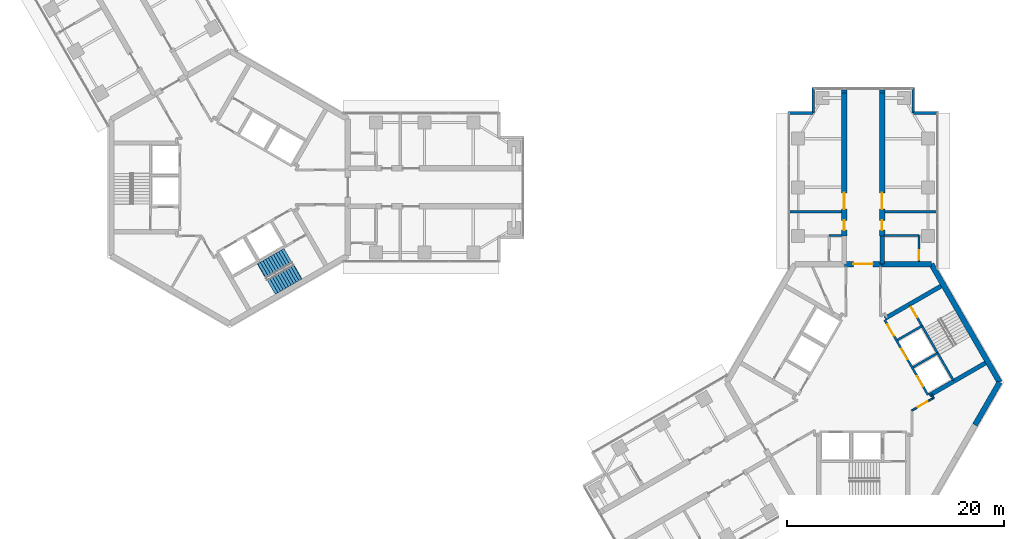
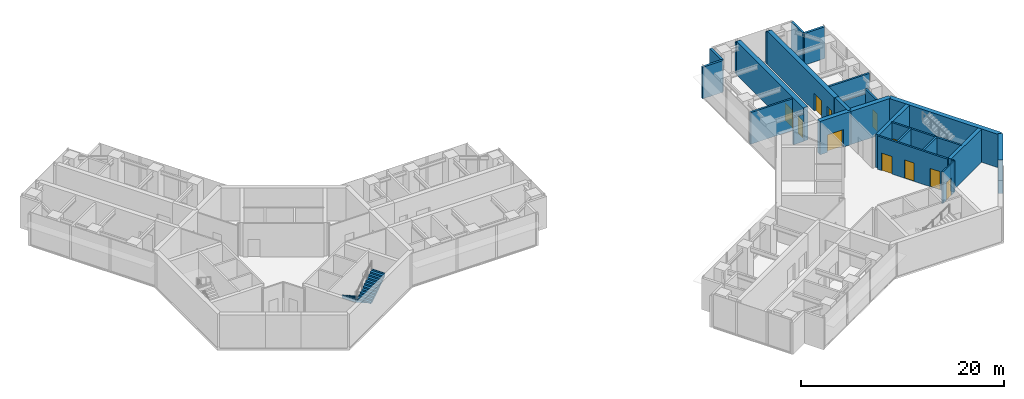
# One storey, part 15 of 17: 26 walls, 11 doors, 2 stair flights, 11 openings, 1 element without a shape of its own.
"""IFC4 building model written with IfcOpenShell, lengths in metres."""

from ifc_helpers import new_model, si_unit, direction, frame, frame_2d, origin, place, context, subcontext, project, spatial, polyline, rectangle, outline, extrude, material, layer, layer_set, type_object, element, fill, aggregate, save


model = new_model("IFC4")

# Units and contexts
model_context = context("Model", 3, precision=1e-05, world=origin(), true_north=direction((0.0, 1.0)))
body_context = subcontext(model_context, "Body", "Model", "MODEL_VIEW")
ifc_project = project(units=[si_unit("LENGTHUNIT", "METRE"), si_unit("AREAUNIT", "SQUARE_METRE"), si_unit("VOLUMEUNIT", "CUBIC_METRE"), si_unit("PLANEANGLEUNIT", "RADIAN"), si_unit("MASSUNIT", "GRAM", prefix="KILO")], contexts=[model_context])

# Site, building, storey
site_placement = place(None, origin())
site = spatial("IfcSite", under=ifc_project, at=site_placement, CompositionType="ELEMENT")
building_placement = place(site_placement, origin())
building = spatial("IfcBuilding", under=site, at=building_placement, Name="Upepo Twin Towers", CompositionType="ELEMENT")
storey_placement = place(building_placement, frame((0.0, 0.0, 182.5)))
storey = spatial("IfcBuildingStorey", under=building, at=storey_placement, Name="L44", CompositionType="ELEMENT", Elevation=182.5)

# Walls
ifc_material_1 = material(Name="Concrete blockwork, plastered both faces", Category="masonry")
ifc_layer_1 = layer(ifc_material_1, 0.215087890625)
ifc_layer_set_1 = layer_set([ifc_layer_1], Name="Blockwork partition 215")
wall_type_1 = type_object("IfcWallType", Name="Blockwork partition 215", PredefinedType="PARTITIONING", material=ifc_layer_set_1)
wall_1_placement = place(storey_placement, frame((56.5, -2.25, 0.0), z_axis=(0.0, 0.0, 1.0), x_axis=(-1.0, 0.0, 0.0)))
element("IfcWall", 1, at=wall_1_placement, inside=storey, type_object=wall_type_1, Name="T2 partition AL at 15.75", PredefinedType="PARTITIONING", context=body_context, shape_type="SweptSolid", body=[
    extrude(rectangle(XDim=4.75, YDim=0.215087890625, at=frame_2d((2.375, 0.0))), origin(), (0.0, 0.0, 1.0), 3.800048828125),
])
wall_2_placement = place(storey_placement, frame((56.550048828125, -4.44189453125, 0.0), z_axis=(0.0, 0.0, 1.0), x_axis=(-1.0, 0.0, 0.0)))
element("IfcWall", 2, at=wall_2_placement, inside=storey, type_object=wall_type_1, Name="T2 WC bay partition AL end at 13.56", PredefinedType="PARTITIONING", context=body_context, shape_type="SweptSolid", body=[
    extrude(rectangle(XDim=1.199951171875, YDim=0.215087890625, at=frame_2d((0.60009765625, 0.0))), origin(), (0.0, 0.0, 1.0), 3.266845703125),
])
wall_3_placement = place(storey_placement, frame((60.5, -2.25, 0.0), z_axis=(0.0, 0.0, 1.0), x_axis=(1.0, 0.0, 0.0)))
element("IfcWall", 3, at=wall_3_placement, inside=storey, type_object=wall_type_1, Name="T2 partition AR at 15.75", PredefinedType="PARTITIONING", context=body_context, shape_type="SweptSolid", body=[
    extrude(rectangle(XDim=4.75, YDim=0.215087890625, at=frame_2d((2.375, 0.0))), origin(), (0.0, 0.0, 1.0), 3.800048828125),
])

# Wall, opening, door
wall_4_placement = place(storey_placement, frame((63.64990234375, -6.842041015625, 0.0), z_axis=(0.0, 0.0, 1.0), x_axis=(0.0, 1.0, 0.0)))
wall_4 = element("IfcWall", 4, at=wall_4_placement, inside=storey, type_object=wall_type_1, Name="T2 WC bay partition AR at 11.16", PredefinedType="PARTITIONING", context=body_context, shape_type="SweptSolid", body=[
    extrude(rectangle(XDim=2.400146484375, YDim=0.215087890625, at=frame_2d((1.2001953125, 0.0))), origin(), (0.0, 0.0, 1.0), 3.800048828125),
])
opening_1_placement = place(wall_4_placement, frame((0.14990234375, 0.0, 0.0)))
opening_1 = element("IfcOpeningElement", 5, at=opening_1_placement, cuts=wall_4, Name="Opening D14", PredefinedType="OPENING", context=body_context, shape_type="SweptSolid", body=[
    extrude(rectangle(XDim=0.89990234375, YDim=2.10009765625, at=frame_2d((0.449951171875, 1.050048828125))), frame((0.0, 0.117431640625, 0.0), z_axis=(0.0, -1.0, 0.0), x_axis=(1.0, 0.0, 0.0)), (0.0, 0.0, 1.0), 0.235107421875),
])
ifc_material_2 = material(Name="Timber doorset", Category="wood")
door_type_1 = type_object("IfcDoorType", Name="Office door 900 FD30", OperationType="SINGLE_SWING_LEFT", PredefinedType="DOOR", material=ifc_material_2)
door_1_placement = place(opening_1_placement, origin())
door_1 = element("IfcDoor", 6, at=door_1_placement, inside=storey, type_object=door_type_1, Name="T2 L44 WC bay inner room door", OperationType="SINGLE_SWING_LEFT", OverallHeight=2.10009765625, OverallWidth=0.89990234375, PredefinedType="DOOR", context=body_context, shape_type="SweptSolid", body=[
    extrude(rectangle(XDim=0.89990234375, YDim=2.10009765625, at=frame_2d((0.449951171875, 1.050048828125))), frame((0.0, 0.02490234375, 0.0), z_axis=(0.0, -1.0, 0.0), x_axis=(1.0, 0.0, 0.0)), (0.0, 0.0, 1.0), 0.050048828125),
])
fill(opening_1, door_1)

# Walls
wall_5_placement = place(storey_placement, frame((60.449951171875, -4.44189453125, 0.0), z_axis=(0.0, 0.0, 1.0), x_axis=(1.0, 0.0, 0.0)))
element("IfcWall", 7, at=wall_5_placement, inside=storey, type_object=wall_type_1, Name="T2 WC bay partition AR end at 13.56", PredefinedType="PARTITIONING", context=body_context, shape_type="SweptSolid", body=[
    extrude(rectangle(XDim=3.199951171875, YDim=0.215087890625, at=frame_2d((1.60009765625, 0.0))), origin(), (0.0, 0.0, 1.0), 3.266845703125),
])
ifc_material_3 = material(Name="Dense concrete blockwork", Category="masonry")
ifc_layer_2 = layer(ifc_material_3, 0.5)
ifc_layer_set_2 = layer_set([ifc_layer_2], Name="Buttress closer 500, blockwork with fire-stopping to the curtain wall")
wall_type_2 = type_object("IfcWallType", Name="Buttress closer 500, blockwork with fire-stopping to the curtain wall", PredefinedType="PARTITIONING", material=ifc_layer_set_2)
for number, where, z_axis, x_axis, name in (
    (8, (56.75, 8.699951171875, 0.0), (0.0, 0.0, 1.0), (0.0, 1.0, 0.0), "T2 L44 wing A buttress closer L"),
    (9, (60.25, 8.699951171875, 0.0), (0.0, 0.0, 1.0), (0.0, 1.0, 0.0), "T2 L44 wing A buttress closer R"),
):
    element("IfcWall", number, at=place(storey_placement, frame(where, z_axis=z_axis, x_axis=x_axis)), inside=storey, type_object=wall_type_2, Name=name, PredefinedType="PARTITIONING", context=body_context, shape_type="SweptSolid", body=[
        extrude(rectangle(XDim=0.28759765625, YDim=0.5, at=frame_2d((0.143798828125, 0.0))), origin(), (0.0, 0.0, 1.0), 3.800048828125),
    ])
ifc_material_4 = material(Name="Concrete C60/75", Category="concrete")
ifc_layer_3 = layer(ifc_material_4, 0.39990234375)
ifc_layer_set_3 = layer_set([ifc_layer_3], Name="Concrete C60/75")
wall_type_3 = type_object("IfcWallType", Name="Buttress wall 400 RC", PredefinedType="SHEAR", material=ifc_layer_set_3)
wall_6_placement = place(storey_placement, frame((60.25, -7.091552734375, 0.0), z_axis=(0.0, 0.0, 1.0), x_axis=(0.0, 1.0, 0.0)))
element("IfcWall", 10, at=wall_6_placement, inside=storey, type_object=wall_type_3, Name="T2 wing A buttress wall R", PredefinedType="SHEAR", context=body_context, shape_type="SweptSolid", body=[
    extrude(rectangle(XDim=2.591552734375, YDim=0.39990234375, at=frame_2d((1.2958984375, 0.0))), origin(), (0.0, 0.0, 1.0), 4.0),
])

# Wall, openings, doors
ifc_material_5 = material(Name="Concrete C60/75", Category="concrete")
ifc_layer_4 = layer(ifc_material_5, 0.5)
ifc_layer_set_4 = layer_set([ifc_layer_4], Name="Concrete C60/75")
wall_type_4 = type_object("IfcWallType", Name="Buttress wall 500 RC", PredefinedType="SHEAR", material=ifc_layer_set_4)
wall_7_placement = place(storey_placement, frame((56.75, -4.5, 0.0), z_axis=(0.0, 0.0, 1.0), x_axis=(0.0, 1.0, 0.0)))
wall_7 = element("IfcWall", 11, at=wall_7_placement, inside=storey, type_object=wall_type_4, Name="T2 wing A buttress wall L part 2", PredefinedType="SHEAR", context=body_context, shape_type="SweptSolid", body=[
    extrude(rectangle(XDim=13.199951171875, YDim=0.5, at=frame_2d((6.60009765625, 0.0))), origin(), (0.0, 0.0, 1.0), 4.0),
])
opening_2_placement = place(wall_7_placement, frame((0.550048828125, 0.0, 0.0)))
opening_2 = element("IfcOpeningElement", 12, at=opening_2_placement, cuts=wall_7, Name="Opening D11", PredefinedType="OPENING", context=body_context, shape_type="SweptSolid", body=[
    extrude(rectangle(XDim=0.89990234375, YDim=2.10009765625, at=frame_2d((0.449951171875, 1.050048828125))), frame((0.0, 0.260009765625, 0.0), z_axis=(0.0, -1.0, 0.0), x_axis=(1.0, 0.0, 0.0)), (0.0, 0.0, 1.0), 0.52001953125),
])
opening_3_placement = place(wall_7_placement, frame((2.5, 0.0, 0.0)))
opening_3 = element("IfcOpeningElement", 13, at=opening_3_placement, cuts=wall_7, Name="Opening D13", PredefinedType="OPENING", context=body_context, shape_type="SweptSolid", body=[
    extrude(rectangle(XDim=1.5, YDim=2.10009765625, at=frame_2d((0.75, 1.050048828125))), frame((0.0, 0.260009765625, 0.0), z_axis=(0.0, -1.0, 0.0), x_axis=(1.0, 0.0, 0.0)), (0.0, 0.0, 1.0), 0.52001953125),
])
ifc_material_6 = material(Name="Timber doorset", Category="wood")
door_type_2 = type_object("IfcDoorType", Name="Double door 1500 FD30", OperationType="DOUBLE_DOOR_SINGLE_SWING", PredefinedType="DOOR", material=ifc_material_6)
door_2_placement = place(opening_3_placement, origin())
door_2 = element("IfcDoor", 14, at=door_2_placement, inside=storey, type_object=door_type_2, Name="T2 L44 lecture room door", OperationType="DOUBLE_DOOR_SINGLE_SWING", OverallHeight=2.10009765625, OverallWidth=1.5, PredefinedType="DOOR", context=body_context, shape_type="SweptSolid", body=[
    extrude(rectangle(XDim=1.5, YDim=2.10009765625, at=frame_2d((0.75, 1.050048828125))), frame((0.0, 0.02490234375, 0.0), z_axis=(0.0, -1.0, 0.0), x_axis=(1.0, 0.0, 0.0)), (0.0, 0.0, 1.0), 0.050048828125),
])
fill(opening_3, door_2)
ifc_material_7 = material(Name="Timber doorset", Category="wood")
door_type_3 = type_object("IfcDoorType", Name="Toilet door 900", OperationType="SINGLE_SWING_LEFT", PredefinedType="DOOR", material=ifc_material_7)
door_3_placement = place(opening_2_placement, origin())
door_3 = element("IfcDoor", 15, at=door_3_placement, inside=storey, type_object=door_type_3, Name="T2 L44 toilets door", OperationType="SINGLE_SWING_LEFT", OverallHeight=2.10009765625, OverallWidth=0.89990234375, PredefinedType="DOOR", context=body_context, shape_type="SweptSolid", body=[
    extrude(rectangle(XDim=0.89990234375, YDim=2.10009765625, at=frame_2d((0.449951171875, 1.050048828125))), frame((0.0, 0.02490234375, 0.0), z_axis=(0.0, -1.0, 0.0), x_axis=(1.0, 0.0, 0.0)), (0.0, 0.0, 1.0), 0.050048828125),
])
fill(opening_2, door_3)

wall_8_placement = place(storey_placement, frame((60.25, -4.5, 0.0), z_axis=(0.0, 0.0, 1.0), x_axis=(0.0, 1.0, 0.0)))
wall_8 = element("IfcWall", 16, at=wall_8_placement, inside=storey, type_object=wall_type_4, Name="T2 wing A buttress wall R part 2", PredefinedType="SHEAR", context=body_context, shape_type="SweptSolid", body=[
    extrude(rectangle(XDim=13.199951171875, YDim=0.5, at=frame_2d((6.60009765625, 0.0))), origin(), (0.0, 0.0, 1.0), 4.0),
])
opening_4_placement = place(wall_8_placement, frame((0.550048828125, 0.0, 0.0)))
opening_4 = element("IfcOpeningElement", 17, at=opening_4_placement, cuts=wall_8, Name="Opening D11", PredefinedType="OPENING", context=body_context, shape_type="SweptSolid", body=[
    extrude(rectangle(XDim=0.89990234375, YDim=2.10009765625, at=frame_2d((0.449951171875, 1.050048828125))), frame((0.0, 0.260009765625, 0.0), z_axis=(0.0, -1.0, 0.0), x_axis=(1.0, 0.0, 0.0)), (0.0, 0.0, 1.0), 0.52001953125),
])
opening_5_placement = place(wall_8_placement, frame((2.5, 0.0, 0.0)))
opening_5 = element("IfcOpeningElement", 18, at=opening_5_placement, cuts=wall_8, Name="Opening D13", PredefinedType="OPENING", context=body_context, shape_type="SweptSolid", body=[
    extrude(rectangle(XDim=1.5, YDim=2.10009765625, at=frame_2d((0.75, 1.050048828125))), frame((0.0, 0.260009765625, 0.0), z_axis=(0.0, -1.0, 0.0), x_axis=(1.0, 0.0, 0.0)), (0.0, 0.0, 1.0), 0.52001953125),
])
door_4_placement = place(opening_5_placement, origin())
door_4 = element("IfcDoor", 19, at=door_4_placement, inside=storey, type_object=door_type_2, Name="T2 L44 lecture room door", OperationType="DOUBLE_DOOR_SINGLE_SWING", OverallHeight=2.10009765625, OverallWidth=1.5, PredefinedType="DOOR", context=body_context, shape_type="SweptSolid", body=[
    extrude(rectangle(XDim=1.5, YDim=2.10009765625, at=frame_2d((0.75, 1.050048828125))), frame((0.0, 0.02490234375, 0.0), z_axis=(0.0, -1.0, 0.0), x_axis=(1.0, 0.0, 0.0)), (0.0, 0.0, 1.0), 0.050048828125),
])
fill(opening_5, door_4)
door_5_placement = place(opening_4_placement, origin())
door_5 = element("IfcDoor", 20, at=door_5_placement, inside=storey, type_object=door_type_3, Name="T2 L44 accessible wc door", OperationType="SINGLE_SWING_LEFT", OverallHeight=2.10009765625, OverallWidth=0.89990234375, PredefinedType="DOOR", context=body_context, shape_type="SweptSolid", body=[
    extrude(rectangle(XDim=0.89990234375, YDim=2.10009765625, at=frame_2d((0.449951171875, 1.050048828125))), frame((0.0, 0.02490234375, 0.0), z_axis=(0.0, -1.0, 0.0), x_axis=(1.0, 0.0, 0.0)), (0.0, 0.0, 1.0), 0.050048828125),
])
fill(opening_4, door_5)

# Wall
ifc_material_8 = material(Name="Concrete C60/75", Category="concrete")
ifc_layer_5 = layer(ifc_material_8, 0.5)
ifc_layer_set_5 = layer_set([ifc_layer_5], Name="Concrete C60/75")
wall_type_5 = type_object("IfcWallType", Name="Core wall 500 RC", PredefinedType="SHEAR", material=ifc_layer_set_5)
wall_9_placement = place(storey_placement, frame((64.7978515625, -7.091552734375, 0.0), z_axis=(0.0, 0.0, 1.0), x_axis=(-1.0, 0.0, 0.0)))
element("IfcWall", 21, at=wall_9_placement, inside=storey, type_object=wall_type_5, Name="T2 core wall 000 R", PredefinedType="SHEAR", context=body_context, shape_type="SweptSolid", body=[
    extrude(rectangle(XDim=4.5478515625, YDim=0.5, at=frame_2d((2.27392578125, 0.0))), origin(), (0.0, 0.0, 1.0), 4.0),
])

# Wall, opening, door
wall_10_placement = place(storey_placement, frame((60.25, -7.091552734375, 0.0), z_axis=(0.0, 0.0, 1.0), x_axis=(-1.0, 0.0, 0.0)))
wall_10 = element("IfcWall", 22, at=wall_10_placement, inside=storey, type_object=wall_type_5, Name="T2 core wall 000", PredefinedType="SHEAR", context=body_context, shape_type="SweptSolid", body=[
    extrude(rectangle(XDim=3.5, YDim=0.5, at=frame_2d((1.75, 0.0))), origin(), (0.0, 0.0, 1.0), 4.0),
])
opening_6_placement = place(wall_10_placement, frame((0.85009765625, 0.0, 0.0)))
opening_6 = element("IfcOpeningElement", 23, at=opening_6_placement, cuts=wall_10, Name="Opening D2", PredefinedType="OPENING", context=body_context, shape_type="SweptSolid", body=[
    extrude(rectangle(XDim=1.800048828125, YDim=2.10009765625, at=frame_2d((0.89990234375, 1.050048828125))), frame((0.0, 0.260009765625, 0.0), z_axis=(0.0, -1.0, 0.0), x_axis=(1.0, 0.0, 0.0)), (0.0, 0.0, 1.0), 0.52001953125),
])
ifc_material_9 = material(Name="Timber doorset", Category="wood")
door_type_4 = type_object("IfcDoorType", Name="Corridor double door 1800 FD60", OperationType="DOUBLE_DOOR_DOUBLE_SWING", PredefinedType="DOOR", material=ifc_material_9)
door_6_placement = place(opening_6_placement, origin())
door_6 = element("IfcDoor", 24, at=door_6_placement, inside=storey, type_object=door_type_4, Name="T2 L44 wing A corridor door", OperationType="DOUBLE_DOOR_DOUBLE_SWING", OverallHeight=2.10009765625, OverallWidth=1.800048828125, PredefinedType="DOOR", context=body_context, shape_type="SweptSolid", body=[
    extrude(rectangle(XDim=1.800048828125, YDim=2.10009765625, at=frame_2d((0.89990234375, 1.050048828125))), frame((0.0, 0.02490234375, 0.0), z_axis=(0.0, -1.0, 0.0), x_axis=(1.0, 0.0, 0.0)), (0.0, 0.0, 1.0), 0.050048828125),
])
fill(opening_6, door_6)

# Walls
wall_11_placement = place(storey_placement, frame((68.82177734375, -21.938720703125, 0.0), z_axis=(0.0, 0.0, 1.0), x_axis=(0.500024481964, 0.866011268655, 0.0)))
element("IfcWall", 25, at=wall_11_placement, inside=storey, type_object=wall_type_5, Name="T2 core wall 240 L", PredefinedType="SHEAR", context=body_context, shape_type="SweptSolid", body=[
    extrude(rectangle(XDim=4.548095703125, YDim=0.5, at=frame_2d((2.27392578125, 0.0))), origin(), (0.0, 0.0, 1.0), 4.0),
])
wall_12_placement = place(storey_placement, frame((71.095947265625, -18.0, 0.0), z_axis=(0.0, 0.0, 1.0), x_axis=(-0.500005998175, 0.866021940709, 0.0)))
element("IfcWall", 26, at=wall_12_placement, inside=storey, type_object=wall_type_5, Name="T2 core wall 300", PredefinedType="SHEAR", context=body_context, shape_type="SweptSolid", body=[
    extrude(rectangle(XDim=12.595947265625, YDim=0.5, at=frame_2d((6.2978515625, 0.0))), origin(), (0.0, 0.0, 1.0), 4.0),
])
ifc_material_10 = material(Name="Blockwork with anodised aluminium cladding", Category="masonry")
ifc_layer_6 = layer(ifc_material_10, 0.25)
ifc_layer_set_6 = layer_set([ifc_layer_6], Name="Notch cladding wall 250, pale metal")
wall_type_6 = type_object("IfcWallType", Name="Notch cladding wall 250, pale metal", PredefinedType="STANDARD", material=ifc_layer_set_6)
for number, where, z_axis, x_axis, name in (
    (27, (51.550048828125, 6.875, 0.0), (0.0, 0.0, 1.0), (1.0, 0.0, 0.0), "T2 L44 wing A notch wall L1"),
    (28, (53.875, 6.875, 0.0), (0.0, 0.0, 1.0), (0.0, 1.0, 0.0), "T2 L44 wing A notch wall L2"),
    (29, (65.449951171875, 6.875, 0.0), (0.0, 0.0, 1.0), (-1.0, 0.0, 0.0), "T2 L44 wing A notch wall R1"),
    (30, (63.125, 6.875, 0.0), (0.0, 0.0, 1.0), (0.0, 1.0, 0.0), "T2 L44 wing A notch wall R2"),
):
    element("IfcWall", number, at=place(storey_placement, frame(where, z_axis=z_axis, x_axis=x_axis)), inside=storey, type_object=wall_type_6, Name=name, PredefinedType="STANDARD", context=body_context, shape_type="SweptSolid", body=[
        extrude(rectangle(XDim=2.324951171875, YDim=0.25, at=frame_2d((1.16259765625, 0.0))), origin(), (0.0, 0.0, 1.0), 3.800048828125),
    ])

# Wall, openings, doors
ifc_material_11 = material(Name="Concrete C40/50", Category="concrete")
ifc_layer_7 = layer(ifc_material_11, 0.199951171875)
ifc_layer_set_7 = layer_set([ifc_layer_7], Name="Concrete C40/50")
wall_type_7 = type_object("IfcWallType", Name="Shaft wall 200 RC", PredefinedType="SHEAR", material=ifc_layer_set_7)
wall_13_placement = place(storey_placement, frame((64.483642578125, -19.1640625, 0.0), z_axis=(0.0, 0.0, 1.0), x_axis=(-0.49999894854, 0.866026010844, 0.0)))
wall_13 = element("IfcWall", 31, at=wall_13_placement, inside=storey, type_object=wall_type_7, Name="T2 core W300 front wall", PredefinedType="SHEAR", context=body_context, shape_type="SweptSolid", body=[
    extrude(rectangle(XDim=8.0, YDim=0.199951171875, at=frame_2d((4.0, 0.0))), origin(), (0.0, 0.0, 1.0), 4.0),
])
opening_7_placement = place(wall_13_placement, frame((6.300048828125, 0.0, 0.0)))
opening_7 = element("IfcOpeningElement", 32, at=opening_7_placement, cuts=wall_13, Name="Opening D4", PredefinedType="OPENING", context=body_context, shape_type="SweptSolid", body=[
    extrude(rectangle(XDim=1.199951171875, YDim=2.10009765625, at=frame_2d((0.60009765625, 1.050048828125))), frame((0.0, 0.10986328125, 0.0), z_axis=(0.0, -1.0, 0.0), x_axis=(1.0, 0.0, 0.0)), (0.0, 0.0, 1.0), 0.219970703125),
])
opening_8_placement = place(wall_13_placement, frame((0.89990234375, 0.0, 0.0)))
opening_8 = element("IfcOpeningElement", 33, at=opening_8_placement, cuts=wall_13, Name="Opening LD1", PredefinedType="OPENING", context=body_context, shape_type="SweptSolid", body=[
    extrude(rectangle(XDim=1.10009765625, YDim=2.199951171875, at=frame_2d((0.550048828125, 1.10009765625))), frame((0.0, 0.10986328125, 0.0), z_axis=(0.0, -1.0, 0.0), x_axis=(1.0, 0.0, 0.0)), (0.0, 0.0, 1.0), 0.219970703125),
])
opening_9_placement = place(wall_13_placement, frame((3.800048828125, 0.0, 0.0)))
opening_9 = element("IfcOpeningElement", 34, at=opening_9_placement, cuts=wall_13, Name="Opening LD1", PredefinedType="OPENING", context=body_context, shape_type="SweptSolid", body=[
    extrude(rectangle(XDim=1.10009765625, YDim=2.199951171875, at=frame_2d((0.550048828125, 1.10009765625))), frame((0.0, 0.10986328125, 0.0), z_axis=(0.0, -1.0, 0.0), x_axis=(1.0, 0.0, 0.0)), (0.0, 0.0, 1.0), 0.219970703125),
])
ifc_material_12 = material(Name="Steel doorset", Category="steel")
door_type_5 = type_object("IfcDoorType", Name="Lift landing door 1100", OperationType="DOUBLE_DOOR_SLIDING", PredefinedType="DOOR", material=ifc_material_12)
door_7_placement = place(opening_8_placement, origin())
door_7 = element("IfcDoor", 35, at=door_7_placement, inside=storey, type_object=door_type_5, Name="T2 L44 lift UL1 landing door", OperationType="DOUBLE_DOOR_SLIDING", OverallHeight=2.199951171875, OverallWidth=1.10009765625, PredefinedType="DOOR", context=body_context, shape_type="SweptSolid", body=[
    extrude(rectangle(XDim=1.10009765625, YDim=2.199951171875, at=frame_2d((0.550048828125, 1.10009765625))), frame((0.0, 0.02490234375, 0.0), z_axis=(0.0, -1.0, 0.0), x_axis=(1.0, 0.0, 0.0)), (0.0, 0.0, 1.0), 0.050048828125),
])
fill(opening_8, door_7)
door_8_placement = place(opening_9_placement, origin())
door_8 = element("IfcDoor", 36, at=door_8_placement, inside=storey, type_object=door_type_5, Name="T2 L44 lift UL2 landing door", OperationType="DOUBLE_DOOR_SLIDING", OverallHeight=2.199951171875, OverallWidth=1.10009765625, PredefinedType="DOOR", context=body_context, shape_type="SweptSolid", body=[
    extrude(rectangle(XDim=1.10009765625, YDim=2.199951171875, at=frame_2d((0.550048828125, 1.10009765625))), frame((0.0, 0.02490234375, 0.0), z_axis=(0.0, -1.0, 0.0), x_axis=(1.0, 0.0, 0.0)), (0.0, 0.0, 1.0), 0.050048828125),
])
fill(opening_9, door_8)
ifc_material_13 = material(Name="Timber doorset", Category="wood")
door_type_6 = type_object("IfcDoorType", Name="Lobby door 1200 FD60", OperationType="SINGLE_SWING_LEFT", PredefinedType="DOOR", material=ifc_material_13)
door_9_placement = place(opening_7_placement, origin())
door_9 = element("IfcDoor", 37, at=door_9_placement, inside=storey, type_object=door_type_6, Name="T2 L44 W300 lobby door", OperationType="SINGLE_SWING_RIGHT", OverallHeight=2.10009765625, OverallWidth=1.199951171875, PredefinedType="DOOR", context=body_context, shape_type="SweptSolid", body=[
    extrude(rectangle(XDim=1.199951171875, YDim=2.10009765625, at=frame_2d((0.60009765625, 1.050048828125))), frame((0.0, 0.02490234375, 0.0), z_axis=(0.0, -1.0, 0.0), x_axis=(1.0, 0.0, 0.0)), (0.0, 0.0, 1.0), 0.050048828125),
])
fill(opening_7, door_9)

# Walls
wall_14_placement = place(storey_placement, frame((63.120361328125, -16.6025390625, 0.0), z_axis=(0.0, 0.0, 1.0), x_axis=(0.866062058628, 0.499936506574, 0.0)))
element("IfcWall", 38, at=wall_14_placement, inside=storey, type_object=wall_type_7, Name="T2 core W300 shaft divider", PredefinedType="SHEAR", context=body_context, shape_type="SweptSolid", body=[
    extrude(rectangle(XDim=2.599853515625, YDim=0.199951171875, at=frame_2d((1.2998046875, 0.0))), origin(), (0.0, 0.0, 1.0), 4.0),
])
wall_15_placement = place(storey_placement, frame((61.67041015625, -14.091064453125, 0.0), z_axis=(0.0, 0.0, 1.0), x_axis=(0.86603858612, 0.49997716683, 0.0)))
element("IfcWall", 39, at=wall_15_placement, inside=storey, type_object=wall_type_7, Name="T2 core W300 lobby wall", PredefinedType="SHEAR", context=body_context, shape_type="SweptSolid", body=[
    extrude(rectangle(XDim=2.599609375, YDim=0.199951171875, at=frame_2d((1.2998046875, 0.0))), origin(), (0.0, 0.0, 1.0), 4.0),
])

# Wall, opening, door
wall_16_placement = place(storey_placement, frame((66.822021484375, -17.814208984375, 0.0), z_axis=(0.0, 0.0, 1.0), x_axis=(-0.49999894854, 0.866026010844, 0.0)))
wall_16 = element("IfcWall", 40, at=wall_16_placement, inside=storey, type_object=wall_type_7, Name="T2 core W300 stair wall", PredefinedType="SHEAR", context=body_context, shape_type="SweptSolid", body=[
    extrude(rectangle(XDim=8.0, YDim=0.199951171875, at=frame_2d((4.0, 0.0))), origin(), (0.0, 0.0, 1.0), 4.0),
])
opening_10_placement = place(wall_16_placement, frame((6.699951171875, 0.0, 0.0)))
opening_10 = element("IfcOpeningElement", 41, at=opening_10_placement, cuts=wall_16, Name="Opening D3", PredefinedType="OPENING", context=body_context, shape_type="SweptSolid", body=[
    extrude(rectangle(XDim=1.10009765625, YDim=2.10009765625, at=frame_2d((0.550048828125, 1.050048828125))), frame((0.0, 0.10986328125, 0.0), z_axis=(0.0, -1.0, 0.0), x_axis=(1.0, 0.0, 0.0)), (0.0, 0.0, 1.0), 0.219970703125),
])
ifc_material_14 = material(Name="Timber doorset", Category="wood")
door_type_7 = type_object("IfcDoorType", Name="Stair door 1100 FD60", OperationType="SINGLE_SWING_LEFT", PredefinedType="DOOR", material=ifc_material_14)
door_10_placement = place(opening_10_placement, origin())
door_10 = element("IfcDoor", 42, at=door_10_placement, inside=storey, type_object=door_type_7, Name="T2 L44 stair door", OperationType="SINGLE_SWING_RIGHT", OverallHeight=2.10009765625, OverallWidth=1.10009765625, PredefinedType="DOOR", context=body_context, shape_type="SweptSolid", body=[
    extrude(rectangle(XDim=1.10009765625, YDim=2.10009765625, at=frame_2d((0.550048828125, 1.050048828125))), frame((0.0, 0.02490234375, 0.0), z_axis=(0.0, -1.0, 0.0), x_axis=(1.0, 0.0, 0.0)), (0.0, 0.0, 1.0), 0.050048828125),
])
fill(opening_10, door_10)

# Walls
ifc_material_15 = material(Name="Concrete C40/50", Category="concrete")
ifc_layer_8 = layer(ifc_material_15, 0.39990234375)
ifc_layer_set_8 = layer_set([ifc_layer_8], Name="Concrete C40/50")
wall_type_8 = type_object("IfcWallType", Name="Shaft wall 400 RC", PredefinedType="SHEAR", material=ifc_layer_set_8)
wall_17_placement = place(storey_placement, frame((60.520263671875, -12.099365234375, 0.0), z_axis=(0.0, 0.0, 1.0), x_axis=(0.86602319114, 0.500003832394, 0.0)))
element("IfcWall", 43, at=wall_17_placement, inside=storey, type_object=wall_type_8, Name="T2 core W300 side wall N", PredefinedType="SHEAR", context=body_context, shape_type="SweptSolid", body=[
    extrude(rectangle(XDim=5.95849609375, YDim=0.39990234375, at=frame_2d((2.979248046875, 0.0))), origin(), (0.0, 0.0, 1.0), 4.0),
])
wall_18_placement = place(storey_placement, frame((64.620361328125, -19.20068359375, 0.0), z_axis=(0.0, 0.0, 1.0), x_axis=(0.866012946976, 0.500021575205, 0.0)))
element("IfcWall", 44, at=wall_18_placement, inside=storey, type_object=wall_type_8, Name="T2 core W300 side wall S", PredefinedType="SHEAR", context=body_context, shape_type="SweptSolid", body=[
    extrude(rectangle(XDim=5.958251953125, YDim=0.39990234375, at=frame_2d((2.97900390625, 0.0))), origin(), (0.0, 0.0, 1.0), 4.0),
])
ifc_material_16 = material(Name="Gypsum board on steel studs", Category="steel")
ifc_layer_9 = layer(ifc_material_16, 0.14990234375)
ifc_layer_set_9 = layer_set([ifc_layer_9], Name="Teaching partition 150 acoustic")
wall_type_9 = type_object("IfcWallType", Name="Teaching partition 150 acoustic", PredefinedType="PARTITIONING", material=ifc_layer_set_9)
wall_19_placement = place(storey_placement, frame((64.78857421875, -19.092041015625, 0.0), z_axis=(0.0, 0.0, 1.0), x_axis=(0.499804398801, -0.866138304741, 0.0)))
element("IfcWall", 45, at=wall_19_placement, inside=storey, type_object=wall_type_9, Name="T2 core room partition 14", PredefinedType="PARTITIONING", context=body_context, shape_type="SweptSolid", body=[
    extrude(rectangle(XDim=0.429931640625, YDim=0.14990234375, at=frame_2d((0.21484375, 0.0))), origin(), (0.0, 0.0, 1.0), 3.800048828125),
])

# Wall, opening, door
wall_20_placement = place(storey_placement, frame((65.0107421875, -19.43701171875, 0.0), z_axis=(0.0, 0.0, 1.0), x_axis=(-0.865982457891, -0.500074377092, 0.0)))
wall_20 = element("IfcWall", 46, at=wall_20_placement, inside=storey, type_object=wall_type_9, Name="T2 core room partition 15", PredefinedType="PARTITIONING", context=body_context, shape_type="SweptSolid", body=[
    extrude(rectangle(XDim=2.342041015625, YDim=0.14990234375, at=frame_2d((1.1708984375, 0.0))), origin(), (0.0, 0.0, 1.0), 3.800048828125),
])
opening_11_placement = place(wall_20_placement, frame((0.6708984375, 0.0, 0.0)))
opening_11 = element("IfcOpeningElement", 47, at=opening_11_placement, cuts=wall_20, Name="Opening D1", PredefinedType="OPENING", context=body_context, shape_type="SweptSolid", body=[
    extrude(rectangle(XDim=1.0, YDim=2.10009765625, at=frame_2d((0.5, 1.050048828125))), frame((0.0, 0.0849609375, 0.0), z_axis=(0.0, -1.0, 0.0), x_axis=(1.0, 0.0, 0.0)), (0.0, 0.0, 1.0), 0.169921875),
])
ifc_material_17 = material(Name="Timber doorset", Category="wood")
door_type_8 = type_object("IfcDoorType", Name="Room door 1000 FD30", OperationType="SINGLE_SWING_LEFT", PredefinedType="DOOR", material=ifc_material_17)
door_11_placement = place(opening_11_placement, origin())
door_11 = element("IfcDoor", 48, at=door_11_placement, inside=storey, type_object=door_type_8, Name="T2 L44 core room door K3", OperationType="SINGLE_SWING_RIGHT", OverallHeight=2.10009765625, OverallWidth=1.0, PredefinedType="DOOR", context=body_context, shape_type="SweptSolid", body=[
    extrude(rectangle(XDim=1.0, YDim=2.10009765625, at=frame_2d((0.5, 1.050048828125))), frame((0.0, 0.02490234375, 0.0), z_axis=(0.0, -1.0, 0.0), x_axis=(1.0, 0.0, 0.0)), (0.0, 0.0, 1.0), 0.050048828125),
])
fill(opening_11, door_11)

# Stair, stair flights
ifc_material_18 = material(Name="Concrete C40/50", Category="concrete")
stair_type = type_object("IfcStairType", Name="Core stair, two flights", PredefinedType="HALF_TURN_STAIR", material=ifc_material_18)
stair_placement = place(storey_placement, origin())
stair = element("IfcStair", 49, at=stair_placement, inside=storey, type_object=stair_type, Name="T1 stair S2 L44", PredefinedType="HALF_TURN_STAIR")
ifc_material_19 = material(Name="Concrete C40/50", Category="concrete")
stair_flight_type = type_object("IfcStairFlightType", Name="Stair flight 1550 RC", PredefinedType="STRAIGHT", material=ifc_material_19)
stair_flight_1_placement = place(storey_placement, frame((5.40380859375, -6.31982421875, 0.0), z_axis=(0.0, 0.0, 1.0), x_axis=(-0.866025403784, -0.5, 0.0)))
stair_flight_1 = element("IfcStairFlight", 50, at=stair_flight_1_placement, type_object=stair_flight_type, Name="Stair S2 flight 1", NumberOfRisers=11, NumberOfTreads=10, PredefinedType="STRAIGHT", RiserHeight=0.181818182, TreadLength=0.28, context=body_context, shape_type="SweptSolid", body=[
    extrude(outline(polyline([(0.0, 0.0), (0.0, 0.181884765625), (0.280029296875, 0.181884765625), (0.280029296875, 0.363525390625), (0.56005859375, 0.363525390625), (0.56005859375, 0.54541015625), (0.840087890625, 0.54541015625), (0.840087890625, 0.727294921875), (1.1201171875, 0.727294921875), (1.1201171875, 0.9091796875), (1.39990234375, 0.9091796875), (1.39990234375, 1.0908203125), (1.679931640625, 1.0908203125), (1.679931640625, 1.272705078125), (1.9599609375, 1.272705078125), (1.9599609375, 1.45458984375), (2.239990234375, 1.45458984375), (2.239990234375, 1.636474609375), (2.52001953125, 1.636474609375), (2.52001953125, 1.818115234375), (2.800048828125, 1.818115234375), (2.800048828125, 2.0), (2.85009765625, 2.0), (2.85009765625, 1.639404296875), (0.3251953125, 0.0), (0.0, 0.0)])), frame((0.0, 0.77490234375, 0.0), z_axis=(0.0, -1.0, 0.0), x_axis=(1.0, 0.0, 0.0)), (0.0, 0.0, 1.0), 1.550048828125),
])
stair_flight_2_placement = place(storey_placement, frame((3.833251953125, -9.19921875, 2.0), z_axis=(0.0, 0.0, 1.0), x_axis=(0.866025403784, 0.5, 0.0)))
stair_flight_2 = element("IfcStairFlight", 51, at=stair_flight_2_placement, type_object=stair_flight_type, Name="Stair S2 flight 2", NumberOfRisers=11, NumberOfTreads=10, PredefinedType="STRAIGHT", RiserHeight=0.181818182, TreadLength=0.28, context=body_context, shape_type="SweptSolid", body=[
    extrude(outline(polyline([(0.0, 0.0), (0.0, 0.181884765625), (0.280029296875, 0.181884765625), (0.280029296875, 0.363525390625), (0.56005859375, 0.363525390625), (0.56005859375, 0.54541015625), (0.840087890625, 0.54541015625), (0.840087890625, 0.727294921875), (1.1201171875, 0.727294921875), (1.1201171875, 0.9091796875), (1.39990234375, 0.9091796875), (1.39990234375, 1.0908203125), (1.679931640625, 1.0908203125), (1.679931640625, 1.272705078125), (1.9599609375, 1.272705078125), (1.9599609375, 1.45458984375), (2.239990234375, 1.45458984375), (2.239990234375, 1.636474609375), (2.52001953125, 1.636474609375), (2.52001953125, 1.818115234375), (2.800048828125, 1.818115234375), (2.800048828125, 2.0), (2.85009765625, 2.0), (2.85009765625, 1.639404296875), (0.3251953125, 0.0), (0.0, 0.0)])), frame((0.0, 0.77490234375, 0.0), z_axis=(0.0, -1.0, 0.0), x_axis=(1.0, 0.0, 0.0)), (0.0, 0.0, 1.0), 1.550048828125),
])
aggregate(stair, [stair_flight_1, stair_flight_2])

save(model, "model.ifc")
